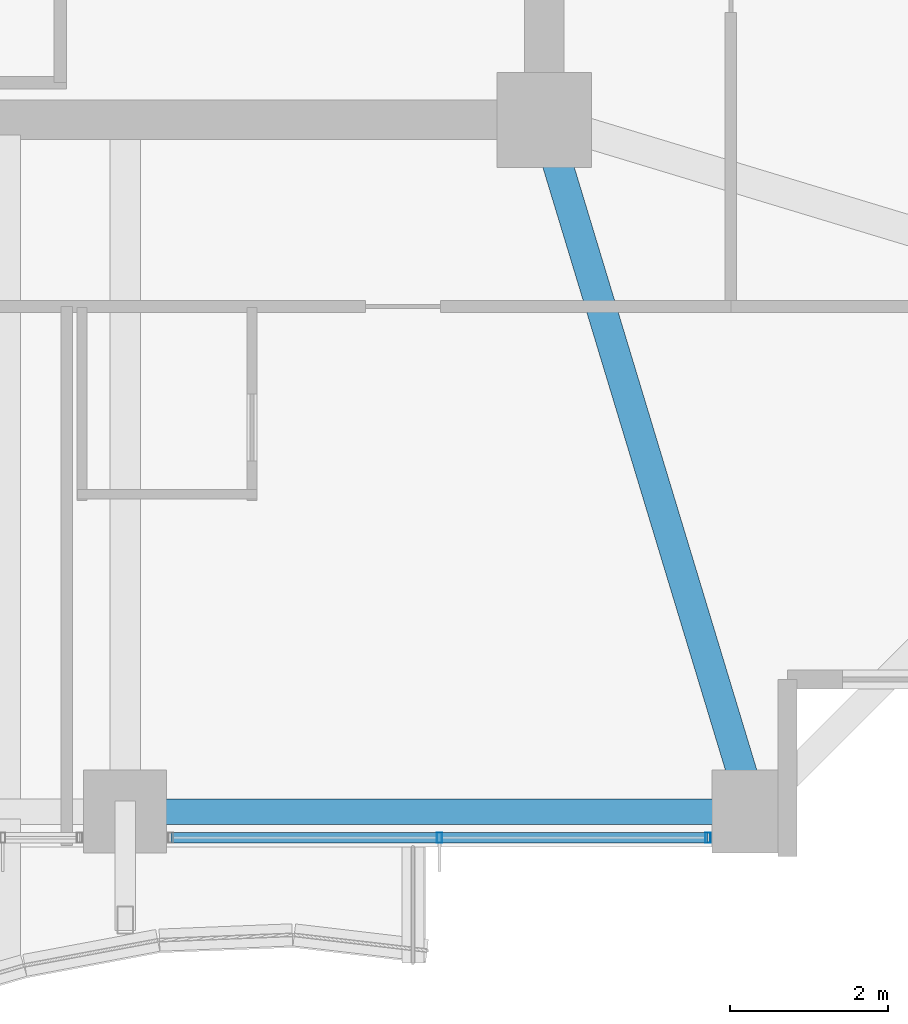
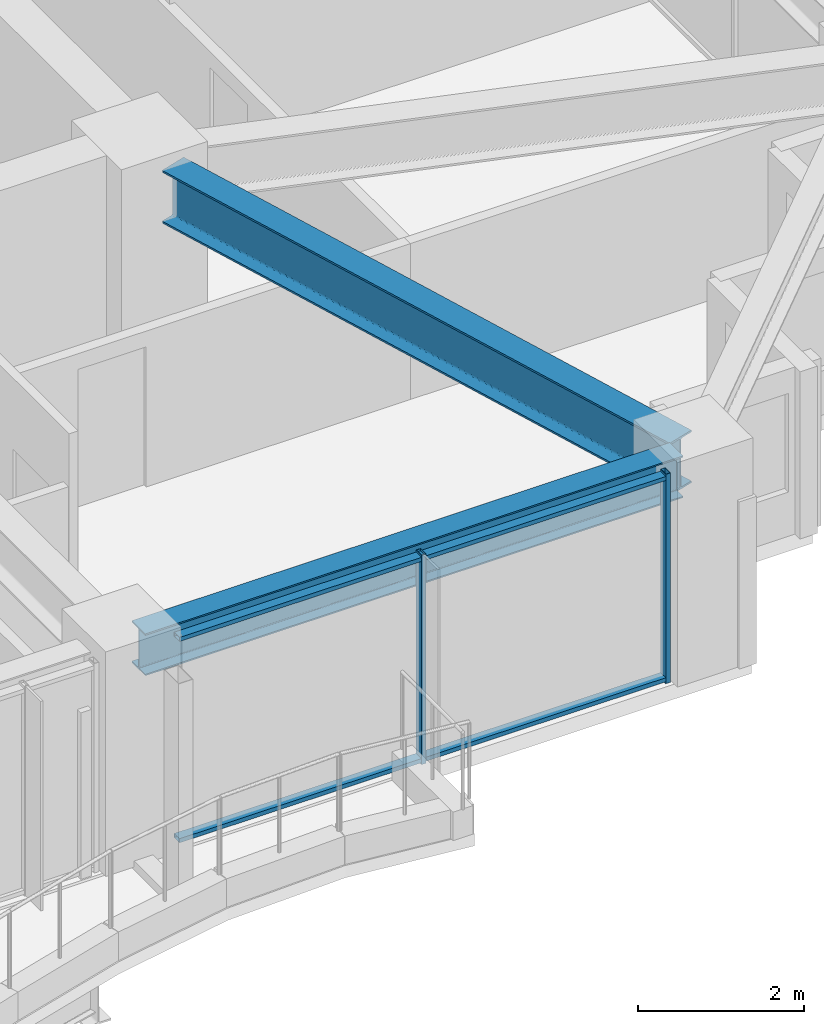
# One storey, part 6 of 31: 4 members, 2 beams, 1 element without a shape of its own.
"""IFC4 building model written with IfcOpenShell, lengths in metres."""

from ifc_helpers import new_model, si_unit, direction, frame, origin, origin_2d, place, context, subcontext, project, spatial, hollow_rectangle, i_section, extrude, material, material_profile, profile_set, type_object, element, aggregate, save


model = new_model("IFC4")

# Units and contexts
model_context = context("Model", 3, precision=1e-05, world=origin(), true_north=direction((0.0, 1.0)))
body_context = subcontext(model_context, "Body", "Model", "MODEL_VIEW")
ifc_project = project(units=[si_unit("LENGTHUNIT", "METRE"), si_unit("AREAUNIT", "SQUARE_METRE"), si_unit("VOLUMEUNIT", "CUBIC_METRE"), si_unit("PLANEANGLEUNIT", "RADIAN"), si_unit("MASSUNIT", "GRAM", prefix="KILO")], contexts=[model_context])

# Site, building, storey
site_placement = place(None, origin())
site = spatial("IfcSite", under=ifc_project, at=site_placement, CompositionType="ELEMENT")
building_placement = place(site_placement, origin())
building = spatial("IfcBuilding", under=site, at=building_placement, Name="Kolvaren Belvedere", CompositionType="ELEMENT")
storey_placement = place(building_placement, frame((0.0, 0.0, 118.39990234375)))
storey = spatial("IfcBuildingStorey", under=building, at=storey_placement, Name="L34", CompositionType="ELEMENT", Elevation=118.39990234375)

# Beams
ifc_material_1 = material(Name="Structural steel ASTM A992 Grade 50", Category="steel")
ifc_material_profile_1 = material_profile(ifc_material_1, i_section(OverallWidth=0.381103515625, OverallDepth=0.77294921875, WebThickness=0.0166015625, FlangeThickness=0.027099609375, FilletRadius=0.02392578125, at=origin_2d()), Name="W30X173")
ifc_profile_set_1 = profile_set([ifc_material_profile_1], Name="Structural steel ASTM A992 Grade 50")
beam_type_1 = type_object("IfcBeamType", Name="BM-GIRD-W30X173", PredefinedType="BEAM", material=ifc_profile_set_1)
beam_1_placement = place(storey_placement, frame((10.059326171875, -10.426513671875, 2.693603515625), z_axis=(0.289858652454, -0.957069465398, 0.0), x_axis=(0.957069465398, 0.289858652454, 0.0)))
element("IfcBeam", 1, at=beam_1_placement, inside=storey, type_object=beam_type_1, Name="L34 Corner Core-to-Perimeter Girder CC2-S4", PredefinedType="BEAM", context=body_context, shape_type="SweptSolid", body=[
    extrude(i_section(OverallWidth=0.381103515625, OverallDepth=0.77294921875, WebThickness=0.0166015625, FlangeThickness=0.027099609375, FilletRadius=0.02392578125, at=origin_2d()), origin(), (0.0, 0.0, 1.0), 8.38232421875),
])
ifc_material_2 = material(Name="Structural steel ASTM A992 Grade 50", Category="steel")
ifc_material_profile_2 = material_profile(ifc_material_2, i_section(OverallWidth=0.324951171875, OverallDepth=0.615966796875, WebThickness=0.013916015625, FlangeThickness=0.021484375, FilletRadius=0.02001953125, at=origin_2d()), Name="W24X117")
ifc_profile_set_2 = profile_set([ifc_material_profile_2], Name="Structural steel ASTM A992 Grade 50")
beam_type_2 = type_object("IfcBeamType", Name="BM-SPAN-W24X117", PredefinedType="SPANDREL", material=ifc_profile_set_2)
beam_2_placement = place(storey_placement, frame((4.836181640625, -18.64990234375, 2.772216796875), z_axis=(1.0, 0.0, 0.0), x_axis=(0.0, 1.0, 0.0)))
element("IfcBeam", 2, at=beam_2_placement, inside=storey, type_object=beam_type_2, Name="L34 Perimeter Spandrel S3-S4", PredefinedType="SPANDREL", context=body_context, shape_type="SweptSolid", body=[
    extrude(i_section(OverallWidth=0.324951171875, OverallDepth=0.615966796875, WebThickness=0.013916015625, FlangeThickness=0.021484375, FilletRadius=0.02001953125, at=origin_2d()), origin(), (0.0, 0.0, 1.0), 7.4775390625),
])

# Curtain wall, members
ifc_material_3 = material(Name="Anodised pale-metal aluminium AA 6063-T6", Category="aluminium")
curtain_wall_type = type_object("IfcCurtainWallType", Name="CW-Z3-WAIST", PredefinedType="NOTDEFINED", material=ifc_material_3)
curtain_wall_placement = place(storey_placement, origin())
curtain_wall = element("IfcCurtainWall", 3, at=curtain_wall_placement, inside=storey, type_object=curtain_wall_type, Name="L34 Unitised Curtain Wall FCW-L34-S1-B1", PredefinedType="NOTDEFINED")
ifc_material_4 = material(Name="Anodised pale-metal aluminium AA 6063-T6", Category="aluminium")
ifc_material_profile_3 = material_profile(ifc_material_4, hollow_rectangle(XDim=0.06494140625, YDim=0.1298828125, WallThickness=0.00390625, at=origin_2d()), Name="ALU-MUL-130X65")
ifc_profile_set_3 = profile_set([ifc_material_profile_3], Name="Anodised pale-metal aluminium AA 6063-T6")
member_type_1 = type_object("IfcMemberType", Name="CW-MUL-130", PredefinedType="MULLION", material=ifc_profile_set_3)
member_1_placement = place(storey_placement, frame((11.972412109375, -18.97998046875, 0.0), z_axis=(0.0, 0.0, 1.0), x_axis=(1.0, 0.0, 0.0)))
member_1 = element("IfcMember", 4, at=member_1_placement, type_object=member_type_1, Name="FCW-L34-S1-B1 Unitised Mullion 1", PredefinedType="MULLION", context=body_context, shape_type="SweptSolid", body=[
    extrude(hollow_rectangle(XDim=0.06494140625, YDim=0.1298828125, WallThickness=0.00390625, at=origin_2d()), origin(), (0.0, 0.0, 1.0), 3.080078125),
])
member_2_placement = place(storey_placement, frame((8.574951171875, -18.97998046875, 0.0), z_axis=(0.0, 0.0, 1.0), x_axis=(1.0, 0.0, 0.0)))
member_2 = element("IfcMember", 5, at=member_2_placement, type_object=member_type_1, Name="FCW-L34-S1-B1 Unitised Mullion 2", PredefinedType="MULLION", context=body_context, shape_type="SweptSolid", body=[
    extrude(hollow_rectangle(XDim=0.06494140625, YDim=0.1298828125, WallThickness=0.00390625, at=origin_2d()), origin(), (0.0, 0.0, 1.0), 3.080078125),
])
ifc_material_5 = material(Name="Anodised pale-metal aluminium AA 6063-T6", Category="aluminium")
ifc_material_profile_4 = material_profile(ifc_material_5, hollow_rectangle(XDim=0.06005859375, YDim=0.1298828125, WallThickness=0.00390625, at=origin_2d()), Name="ALU-TRN-130X60")
ifc_profile_set_4 = profile_set([ifc_material_profile_4], Name="Anodised pale-metal aluminium AA 6063-T6")
member_type_2 = type_object("IfcMemberType", Name="CW-TRN-130", PredefinedType="USERDEFINED", material=ifc_profile_set_4)
member_3_placement = place(storey_placement, frame((11.972412109375, -18.97998046875, 0.06005859375), z_axis=(-1.0, 0.0, 0.0), x_axis=(0.0, 0.0, 1.0)))
member_3 = element("IfcMember", 6, at=member_3_placement, type_object=member_type_2, Name="FCW-L34-S1-B1 Sill Transom", ObjectType="TRANSOM", PredefinedType="USERDEFINED", context=body_context, shape_type="SweptSolid", body=[
    extrude(hollow_rectangle(XDim=0.06005859375, YDim=0.1298828125, WallThickness=0.00390625, at=origin_2d()), origin(), (0.0, 0.0, 1.0), 6.794921875),
])
member_4_placement = place(storey_placement, frame((11.972412109375, -18.97998046875, 3.02001953125), z_axis=(-1.0, 0.0, 0.0), x_axis=(0.0, 0.0, 1.0)))
member_4 = element("IfcMember", 7, at=member_4_placement, type_object=member_type_2, Name="FCW-L34-S1-B1 Head Transom", ObjectType="TRANSOM", PredefinedType="USERDEFINED", context=body_context, shape_type="SweptSolid", body=[
    extrude(hollow_rectangle(XDim=0.06005859375, YDim=0.1298828125, WallThickness=0.00390625, at=origin_2d()), origin(), (0.0, 0.0, 1.0), 6.794921875),
])
aggregate(curtain_wall, [member_1, member_2, member_3, member_4])

save(model, "model.ifc")
